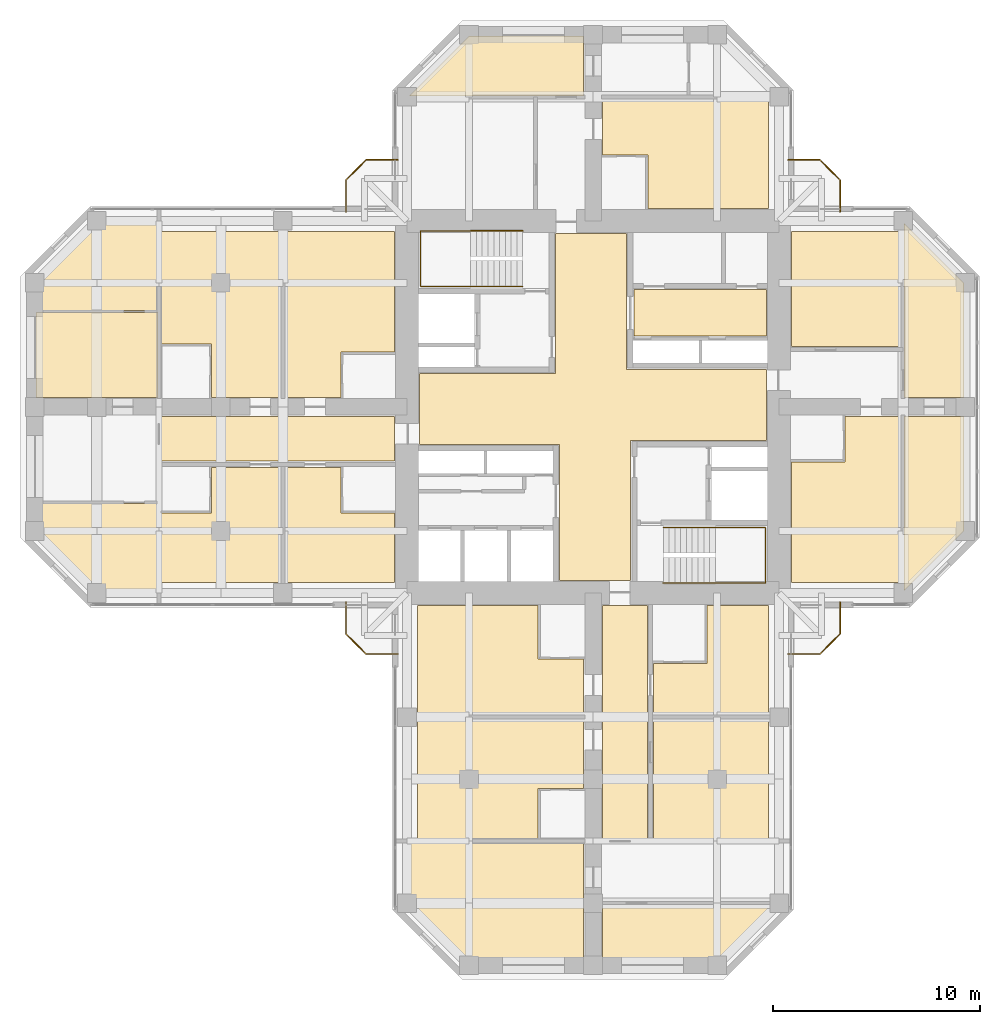
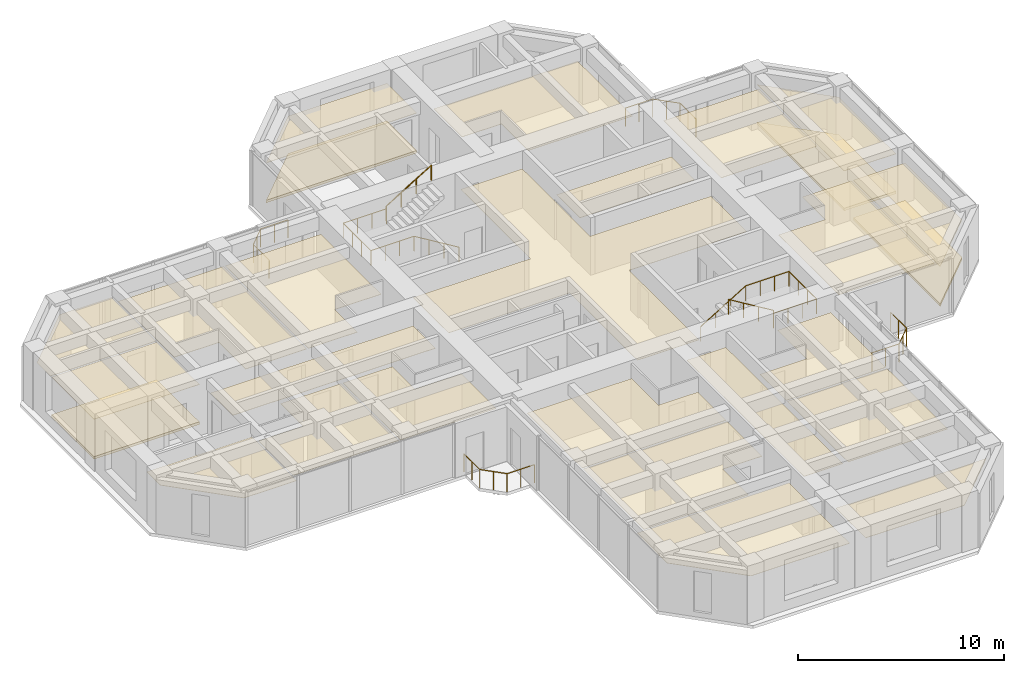
# One storey, part 13 of 13: 27 coverings, 8 railings.
"""IFC4 building model written with IfcOpenShell, lengths in metres."""

from ifc_helpers import new_model, si_unit, direction, frame, origin, origin_2d, place, context, subcontext, project, spatial, polyline, circle, outline, extrude, material, layer, layer_set, constituent, constituent_set, type_object, element, save


model = new_model("IFC4")

# Units and contexts
model_context = context("Model", 3, precision=1e-05, world=origin(), true_north=direction((0.0, 1.0)))
body_context = subcontext(model_context, "Body", "Model", "MODEL_VIEW")
ifc_project = project(units=[si_unit("LENGTHUNIT", "METRE"), si_unit("AREAUNIT", "SQUARE_METRE"), si_unit("VOLUMEUNIT", "CUBIC_METRE"), si_unit("PLANEANGLEUNIT", "RADIAN"), si_unit("MASSUNIT", "GRAM", prefix="KILO")], contexts=[model_context])

# Site, building, storey
site_placement = place(None, origin())
site = spatial("IfcSite", under=ifc_project, at=site_placement, CompositionType="ELEMENT")
building_placement = place(site_placement, origin())
building = spatial("IfcBuilding", under=site, at=building_placement, Name="Torre Cruceta", CompositionType="ELEMENT")
storey_placement = place(building_placement, frame((0.0, 0.0, 193.300048828125)))
storey = spatial("IfcBuildingStorey", under=building, at=storey_placement, Name="L48", CompositionType="ELEMENT", Elevation=193.300048828125)

# Railings
ifc_material_1 = material(Name="Stainless steel 1.4401", Category="steel")
ifc_constituent_1 = constituent(ifc_material_1, Name="Frame")
ifc_material_2 = material(Name="Laminated safety glass", Category="glass")
ifc_constituent_2 = constituent(ifc_material_2, Name="Infill")
ifc_constituent_set_1 = constituent_set(constituents=[ifc_constituent_1, ifc_constituent_2], Name="Stainless steel and laminated glass balustrade")
railing_type_1 = type_object("IfcRailingType", Name="BALCONY BALUSTRADE 1100", PredefinedType="BALUSTRADE", material=ifc_constituent_set_1)
railing_1_placement = place(storey_placement, frame((-9.449951171875, 11.949951171875, 0.0)))
element("IfcRailing", 1, at=railing_1_placement, inside=storey, type_object=railing_type_1, Name="BL1 balcony balustrade L48 N", PredefinedType="BALUSTRADE", context=body_context, shape_type="SweptSolid", body=[
    extrude(circle(Radius=0.02392578125, at=origin_2d()), frame((0.0, 0.0, 1.076171875), z_axis=(-1.0, 0.0, 0.0), x_axis=(0.0, -1.0, 0.0)), (0.0, 0.0, 1.0), 1.529296875),
    extrude(circle(Radius=0.02392578125, at=origin_2d()), frame((-1.529296875, 0.0, 1.076171875), z_axis=(-0.707106781187, -0.707106781187, 0.0), x_axis=(0.707106781187, -0.707106781187, 0.0)), (0.0, 0.0, 1.0), 1.372802734375),
    extrude(circle(Radius=0.02392578125, at=origin_2d()), frame((-2.5, -0.970703125, 1.076171875), z_axis=(0.0, -1.0, 0.0), x_axis=(1.0, 0.0, 0.0)), (0.0, 0.0, 1.0), 1.529296875),
    extrude(circle(Radius=0.02099609375, at=origin_2d()), origin(), (0.0, 0.0, 1.0), 1.052001953125),
    extrude(circle(Radius=0.02099609375, at=origin_2d()), frame((-0.7646484375, 0.0, 0.0)), (0.0, 0.0, 1.0), 1.052001953125),
    extrude(circle(Radius=0.02099609375, at=origin_2d()), frame((-1.529296875, 0.0, 0.0)), (0.0, 0.0, 1.0), 1.052001953125),
    extrude(circle(Radius=0.02099609375, at=origin_2d()), frame((-2.0146484375, -0.4853515625, 0.0)), (0.0, 0.0, 1.0), 1.052001953125),
    extrude(circle(Radius=0.02099609375, at=origin_2d()), frame((-2.5, -0.970703125, 0.0)), (0.0, 0.0, 1.0), 1.052001953125),
    extrude(circle(Radius=0.02099609375, at=origin_2d()), frame((-2.5, -1.7353515625, 0.0)), (0.0, 0.0, 1.0), 1.052001953125),
    extrude(circle(Radius=0.02099609375, at=origin_2d()), frame((-2.5, -2.5, 0.0)), (0.0, 0.0, 1.0), 1.052001953125),
])
railing_2_placement = place(storey_placement, frame((9.449951171875, 11.949951171875, 0.0)))
element("IfcRailing", 2, at=railing_2_placement, inside=storey, type_object=railing_type_1, Name="BL1 balcony balustrade L48 E", PredefinedType="BALUSTRADE", context=body_context, shape_type="SweptSolid", body=[
    extrude(circle(Radius=0.02392578125, at=origin_2d()), frame((0.0, 0.0, 1.076171875), z_axis=(1.0, 0.0, 0.0), x_axis=(0.0, 1.0, 0.0)), (0.0, 0.0, 1.0), 1.529296875),
    extrude(circle(Radius=0.02392578125, at=origin_2d()), frame((1.529296875, 0.0, 1.076171875), z_axis=(0.707106781187, -0.707106781187, 0.0), x_axis=(0.707106781187, 0.707106781187, 0.0)), (0.0, 0.0, 1.0), 1.372802734375),
    extrude(circle(Radius=0.02392578125, at=origin_2d()), frame((2.5, -0.970703125, 1.076171875), z_axis=(0.0, -1.0, 0.0), x_axis=(1.0, 0.0, 0.0)), (0.0, 0.0, 1.0), 1.529296875),
    extrude(circle(Radius=0.02099609375, at=origin_2d()), origin(), (0.0, 0.0, 1.0), 1.052001953125),
    extrude(circle(Radius=0.02099609375, at=origin_2d()), frame((0.7646484375, 0.0, 0.0)), (0.0, 0.0, 1.0), 1.052001953125),
    extrude(circle(Radius=0.02099609375, at=origin_2d()), frame((1.529296875, 0.0, 0.0)), (0.0, 0.0, 1.0), 1.052001953125),
    extrude(circle(Radius=0.02099609375, at=origin_2d()), frame((2.0146484375, -0.4853515625, 0.0)), (0.0, 0.0, 1.0), 1.052001953125),
    extrude(circle(Radius=0.02099609375, at=origin_2d()), frame((2.5, -0.970703125, 0.0)), (0.0, 0.0, 1.0), 1.052001953125),
    extrude(circle(Radius=0.02099609375, at=origin_2d()), frame((2.5, -1.7353515625, 0.0)), (0.0, 0.0, 1.0), 1.052001953125),
    extrude(circle(Radius=0.02099609375, at=origin_2d()), frame((2.5, -2.5, 0.0)), (0.0, 0.0, 1.0), 1.052001953125),
])
railing_3_placement = place(storey_placement, frame((9.449951171875, -11.949951171875, 0.0)))
element("IfcRailing", 3, at=railing_3_placement, inside=storey, type_object=railing_type_1, Name="BL1 balcony balustrade L48 S", PredefinedType="BALUSTRADE", context=body_context, shape_type="SweptSolid", body=[
    extrude(circle(Radius=0.02392578125, at=origin_2d()), frame((0.0, 0.0, 1.076171875), z_axis=(1.0, 0.0, 0.0), x_axis=(0.0, 1.0, 0.0)), (0.0, 0.0, 1.0), 1.529296875),
    extrude(circle(Radius=0.02392578125, at=origin_2d()), frame((1.529296875, 0.0, 1.076171875), z_axis=(0.707106781187, 0.707106781187, 0.0), x_axis=(-0.707106781187, 0.707106781187, 0.0)), (0.0, 0.0, 1.0), 1.372802734375),
    extrude(circle(Radius=0.02392578125, at=origin_2d()), frame((2.5, 0.970703125, 1.076171875), z_axis=(0.0, 1.0, 0.0), x_axis=(-1.0, 0.0, 0.0)), (0.0, 0.0, 1.0), 1.529296875),
    extrude(circle(Radius=0.02099609375, at=origin_2d()), origin(), (0.0, 0.0, 1.0), 1.052001953125),
    extrude(circle(Radius=0.02099609375, at=origin_2d()), frame((0.7646484375, 0.0, 0.0)), (0.0, 0.0, 1.0), 1.052001953125),
    extrude(circle(Radius=0.02099609375, at=origin_2d()), frame((1.529296875, 0.0, 0.0)), (0.0, 0.0, 1.0), 1.052001953125),
    extrude(circle(Radius=0.02099609375, at=origin_2d()), frame((2.0146484375, 0.4853515625, 0.0)), (0.0, 0.0, 1.0), 1.052001953125),
    extrude(circle(Radius=0.02099609375, at=origin_2d()), frame((2.5, 0.970703125, 0.0)), (0.0, 0.0, 1.0), 1.052001953125),
    extrude(circle(Radius=0.02099609375, at=origin_2d()), frame((2.5, 1.7353515625, 0.0)), (0.0, 0.0, 1.0), 1.052001953125),
    extrude(circle(Radius=0.02099609375, at=origin_2d()), frame((2.5, 2.5, 0.0)), (0.0, 0.0, 1.0), 1.052001953125),
])
railing_4_placement = place(storey_placement, frame((-9.449951171875, -11.949951171875, 0.0)))
element("IfcRailing", 4, at=railing_4_placement, inside=storey, type_object=railing_type_1, Name="BL1 balcony balustrade L48 W", PredefinedType="BALUSTRADE", context=body_context, shape_type="SweptSolid", body=[
    extrude(circle(Radius=0.02392578125, at=origin_2d()), frame((0.0, 0.0, 1.076171875), z_axis=(-1.0, 0.0, 0.0), x_axis=(0.0, -1.0, 0.0)), (0.0, 0.0, 1.0), 1.529296875),
    extrude(circle(Radius=0.02392578125, at=origin_2d()), frame((-1.529296875, 0.0, 1.076171875), z_axis=(-0.707106781187, 0.707106781187, 0.0), x_axis=(-0.707106781187, -0.707106781187, 0.0)), (0.0, 0.0, 1.0), 1.372802734375),
    extrude(circle(Radius=0.02392578125, at=origin_2d()), frame((-2.5, 0.970703125, 1.076171875), z_axis=(0.0, 1.0, 0.0), x_axis=(-1.0, 0.0, 0.0)), (0.0, 0.0, 1.0), 1.529296875),
    extrude(circle(Radius=0.02099609375, at=origin_2d()), origin(), (0.0, 0.0, 1.0), 1.052001953125),
    extrude(circle(Radius=0.02099609375, at=origin_2d()), frame((-0.7646484375, 0.0, 0.0)), (0.0, 0.0, 1.0), 1.052001953125),
    extrude(circle(Radius=0.02099609375, at=origin_2d()), frame((-1.529296875, 0.0, 0.0)), (0.0, 0.0, 1.0), 1.052001953125),
    extrude(circle(Radius=0.02099609375, at=origin_2d()), frame((-2.0146484375, 0.4853515625, 0.0)), (0.0, 0.0, 1.0), 1.052001953125),
    extrude(circle(Radius=0.02099609375, at=origin_2d()), frame((-2.5, 0.970703125, 0.0)), (0.0, 0.0, 1.0), 1.052001953125),
    extrude(circle(Radius=0.02099609375, at=origin_2d()), frame((-2.5, 1.7353515625, 0.0)), (0.0, 0.0, 1.0), 1.052001953125),
    extrude(circle(Radius=0.02099609375, at=origin_2d()), frame((-2.5, 2.5, 0.0)), (0.0, 0.0, 1.0), 1.052001953125),
])
ifc_material_3 = material(Name="Stainless steel 1.4401", Category="steel")
railing_type_2 = type_object("IfcRailingType", Name="HANDRAIL 900", PredefinedType="HANDRAIL", material=ifc_material_3)
railing_5_placement = place(storey_placement, frame((-3.39990234375, 5.8349609375, 0.169921875)))
element("IfcRailing", 5, at=railing_5_placement, inside=storey, type_object=railing_type_2, Name="Handrail HR1 ST1 L48", PredefinedType="HANDRAIL", context=body_context, shape_type="SweptSolid", body=[
    extrude(circle(Radius=0.02392578125, at=origin_2d()), frame((0.0, 0.0, 0.8759765625), z_axis=(-0.85478489116, 0.0, 0.518982456201), x_axis=(0.0, -1.0, 0.0)), (0.0, 0.0, 1.0), 2.9482421875),
    extrude(circle(Radius=0.02392578125, at=origin_2d()), frame((-2.52001953125, 0.0, 2.40576171875), z_axis=(-1.0, 0.0, 0.0), x_axis=(0.0, -1.0, 0.0)), (0.0, 0.0, 1.0), 2.420166015625),
    extrude(circle(Radius=0.02392578125, at=origin_2d()), frame((-4.940185546875, 0.0, 2.40576171875), z_axis=(0.0, 1.0, 0.0), x_axis=(-1.0, 0.0, 0.0)), (0.0, 0.0, 1.0), 2.679931640625),
    extrude(circle(Radius=0.02392578125, at=origin_2d()), frame((-4.940185546875, 2.679931640625, 2.40576171875), z_axis=(1.0, 0.0, 0.0), x_axis=(0.0, 1.0, 0.0)), (0.0, 0.0, 1.0), 2.420166015625),
    extrude(circle(Radius=0.02099609375, at=origin_2d()), origin(), (0.0, 0.0, 1.0), 0.851806640625),
    extrude(circle(Radius=0.02099609375, at=origin_2d()), frame((-0.840087890625, 0.0, 0.510009765625)), (0.0, 0.0, 1.0), 0.851806640625),
    extrude(circle(Radius=0.02099609375, at=origin_2d()), frame((-1.679931640625, 0.0, 1.02001953125)), (0.0, 0.0, 1.0), 0.851806640625),
    extrude(circle(Radius=0.02099609375, at=origin_2d()), frame((-2.52001953125, 0.0, 1.530029296875)), (0.0, 0.0, 1.0), 0.851806640625),
    extrude(circle(Radius=0.02099609375, at=origin_2d()), frame((-3.32666015625, 0.0, 1.530029296875)), (0.0, 0.0, 1.0), 0.851806640625),
    extrude(circle(Radius=0.02099609375, at=origin_2d()), frame((-4.133544921875, 0.0, 1.530029296875)), (0.0, 0.0, 1.0), 0.851806640625),
    extrude(circle(Radius=0.02099609375, at=origin_2d()), frame((-4.940185546875, 0.0, 1.530029296875)), (0.0, 0.0, 1.0), 0.851806640625),
    extrude(circle(Radius=0.02099609375, at=origin_2d()), frame((-4.940185546875, 0.893310546875, 1.530029296875)), (0.0, 0.0, 1.0), 0.851806640625),
    extrude(circle(Radius=0.02099609375, at=origin_2d()), frame((-4.940185546875, 1.78662109375, 1.530029296875)), (0.0, 0.0, 1.0), 0.851806640625),
    extrude(circle(Radius=0.02099609375, at=origin_2d()), frame((-4.940185546875, 2.679931640625, 1.530029296875)), (0.0, 0.0, 1.0), 0.851806640625),
    extrude(circle(Radius=0.02099609375, at=origin_2d()), frame((-4.133544921875, 2.679931640625, 1.530029296875)), (0.0, 0.0, 1.0), 0.851806640625),
    extrude(circle(Radius=0.02099609375, at=origin_2d()), frame((-3.32666015625, 2.679931640625, 1.530029296875)), (0.0, 0.0, 1.0), 0.851806640625),
    extrude(circle(Radius=0.02099609375, at=origin_2d()), frame((-2.52001953125, 2.679931640625, 1.530029296875)), (0.0, 0.0, 1.0), 0.851806640625),
])
railing_6_placement = place(storey_placement, frame((-5.919921875, 8.514892578125, 1.869873046875)))
element("IfcRailing", 6, at=railing_6_placement, inside=storey, type_object=railing_type_2, Name="Handrail HR1 ST1 L48", PredefinedType="HANDRAIL", context=body_context, shape_type="SweptSolid", body=[
    extrude(circle(Radius=0.02392578125, at=origin_2d()), frame((0.0, 0.0, 0.8759765625), z_axis=(0.85478489116, 0.0, 0.518982456201), x_axis=(0.0, 1.0, 0.0)), (0.0, 0.0, 1.0), 2.9482421875),
    extrude(circle(Radius=0.02099609375, at=origin_2d()), origin(), (0.0, 0.0, 1.0), 0.851806640625),
    extrude(circle(Radius=0.02099609375, at=origin_2d()), frame((0.840087890625, 0.0, 0.510009765625)), (0.0, 0.0, 1.0), 0.851806640625),
    extrude(circle(Radius=0.02099609375, at=origin_2d()), frame((1.679931640625, 0.0, 1.02001953125)), (0.0, 0.0, 1.0), 0.851806640625),
    extrude(circle(Radius=0.02099609375, at=origin_2d()), frame((2.52001953125, 0.0, 1.530029296875)), (0.0, 0.0, 1.0), 0.851806640625),
])
railing_7_placement = place(storey_placement, frame((3.39990234375, -5.8349609375, 0.169921875)))
element("IfcRailing", 7, at=railing_7_placement, inside=storey, type_object=railing_type_2, Name="Handrail HR1 ST2 L48", PredefinedType="HANDRAIL", context=body_context, shape_type="SweptSolid", body=[
    extrude(circle(Radius=0.02392578125, at=origin_2d()), frame((0.0, 0.0, 0.8759765625), z_axis=(0.85478489116, 0.0, 0.518982456201), x_axis=(0.0, 1.0, 0.0)), (0.0, 0.0, 1.0), 2.9482421875),
    extrude(circle(Radius=0.02392578125, at=origin_2d()), frame((2.52001953125, 0.0, 2.40576171875), z_axis=(1.0, 0.0, 0.0), x_axis=(0.0, 1.0, 0.0)), (0.0, 0.0, 1.0), 2.420166015625),
    extrude(circle(Radius=0.02392578125, at=origin_2d()), frame((4.940185546875, 0.0, 2.40576171875), z_axis=(0.0, -1.0, 0.0), x_axis=(1.0, 0.0, 0.0)), (0.0, 0.0, 1.0), 2.679931640625),
    extrude(circle(Radius=0.02392578125, at=origin_2d()), frame((4.940185546875, -2.679931640625, 2.40576171875), z_axis=(-1.0, 0.0, 0.0), x_axis=(0.0, -1.0, 0.0)), (0.0, 0.0, 1.0), 2.420166015625),
    extrude(circle(Radius=0.02099609375, at=origin_2d()), origin(), (0.0, 0.0, 1.0), 0.851806640625),
    extrude(circle(Radius=0.02099609375, at=origin_2d()), frame((0.840087890625, 0.0, 0.510009765625)), (0.0, 0.0, 1.0), 0.851806640625),
    extrude(circle(Radius=0.02099609375, at=origin_2d()), frame((1.679931640625, 0.0, 1.02001953125)), (0.0, 0.0, 1.0), 0.851806640625),
    extrude(circle(Radius=0.02099609375, at=origin_2d()), frame((2.52001953125, 0.0, 1.530029296875)), (0.0, 0.0, 1.0), 0.851806640625),
    extrude(circle(Radius=0.02099609375, at=origin_2d()), frame((3.32666015625, 0.0, 1.530029296875)), (0.0, 0.0, 1.0), 0.851806640625),
    extrude(circle(Radius=0.02099609375, at=origin_2d()), frame((4.133544921875, 0.0, 1.530029296875)), (0.0, 0.0, 1.0), 0.851806640625),
    extrude(circle(Radius=0.02099609375, at=origin_2d()), frame((4.940185546875, 0.0, 1.530029296875)), (0.0, 0.0, 1.0), 0.851806640625),
    extrude(circle(Radius=0.02099609375, at=origin_2d()), frame((4.940185546875, -0.893310546875, 1.530029296875)), (0.0, 0.0, 1.0), 0.851806640625),
    extrude(circle(Radius=0.02099609375, at=origin_2d()), frame((4.940185546875, -1.78662109375, 1.530029296875)), (0.0, 0.0, 1.0), 0.851806640625),
    extrude(circle(Radius=0.02099609375, at=origin_2d()), frame((4.940185546875, -2.679931640625, 1.530029296875)), (0.0, 0.0, 1.0), 0.851806640625),
    extrude(circle(Radius=0.02099609375, at=origin_2d()), frame((4.133544921875, -2.679931640625, 1.530029296875)), (0.0, 0.0, 1.0), 0.851806640625),
    extrude(circle(Radius=0.02099609375, at=origin_2d()), frame((3.32666015625, -2.679931640625, 1.530029296875)), (0.0, 0.0, 1.0), 0.851806640625),
    extrude(circle(Radius=0.02099609375, at=origin_2d()), frame((2.52001953125, -2.679931640625, 1.530029296875)), (0.0, 0.0, 1.0), 0.851806640625),
])
railing_8_placement = place(storey_placement, frame((5.919921875, -8.514892578125, 1.869873046875)))
element("IfcRailing", 8, at=railing_8_placement, inside=storey, type_object=railing_type_2, Name="Handrail HR1 ST2 L48", PredefinedType="HANDRAIL", context=body_context, shape_type="SweptSolid", body=[
    extrude(circle(Radius=0.02392578125, at=origin_2d()), frame((0.0, 0.0, 0.8759765625), z_axis=(-0.85478489116, 0.0, 0.518982456201), x_axis=(0.0, -1.0, 0.0)), (0.0, 0.0, 1.0), 2.9482421875),
    extrude(circle(Radius=0.02099609375, at=origin_2d()), origin(), (0.0, 0.0, 1.0), 0.851806640625),
    extrude(circle(Radius=0.02099609375, at=origin_2d()), frame((-0.840087890625, 0.0, 0.510009765625)), (0.0, 0.0, 1.0), 0.851806640625),
    extrude(circle(Radius=0.02099609375, at=origin_2d()), frame((-1.679931640625, 0.0, 1.02001953125)), (0.0, 0.0, 1.0), 0.851806640625),
    extrude(circle(Radius=0.02099609375, at=origin_2d()), frame((-2.52001953125, 0.0, 1.530029296875)), (0.0, 0.0, 1.0), 0.851806640625),
])

# Coverings
ifc_material_4 = material(Name="Steel DX51D", Category="steel")
ifc_constituent_3 = constituent(ifc_material_4, Name="Panel casing")
ifc_material_5 = material(Name="Calcium sulphate", Category="gypsum")
ifc_constituent_4 = constituent(ifc_material_5, Name="Panel core")
ifc_constituent_set_2 = constituent_set(constituents=[ifc_constituent_3, ifc_constituent_4], Name="Raised access floor panel")
covering_type_1 = type_object("IfcCoveringType", Name="RAISED ACCESS FLOOR 150", PredefinedType="FLOORING", material=ifc_constituent_set_2)
covering_1_placement = place(storey_placement, origin())
element("IfcCovering", 9, at=covering_1_placement, inside=storey, type_object=covering_type_1, Name="Raised floor L48-026", PredefinedType="FLOORING", context=body_context, shape_type="SweptSolid", body=[
    extrude(outline(polyline([(-5.979248046875, 17.949951171875), (-0.449951171875, 17.949951171875), (-0.449951171875, 15.050048828125), (-8.87939453125, 15.050048828125), (-5.979248046875, 17.949951171875)])), origin(), (0.0, 0.0, 1.0), 0.14990234375),
])
covering_2_placement = place(storey_placement, origin())
element("IfcCovering", 10, at=covering_2_placement, inside=storey, type_object=covering_type_1, Name="Raised floor L48-033", PredefinedType="FLOORING", context=body_context, shape_type="SweptSolid", body=[
    extrude(outline(polyline([(17.949951171875, 5.979248046875), (17.949951171875, 0.449951171875), (15.050048828125, 0.449951171875), (15.050048828125, 8.87939453125), (17.949951171875, 5.979248046875)])), origin(), (0.0, 0.0, 1.0), 0.14990234375),
])
covering_3_placement = place(storey_placement, origin())
element("IfcCovering", 11, at=covering_3_placement, inside=storey, type_object=covering_type_1, Name="Raised floor L48-034", PredefinedType="FLOORING", context=body_context, shape_type="SweptSolid", body=[
    extrude(outline(polyline([(15.050048828125, -8.87939453125), (15.050048828125, -0.449951171875), (17.949951171875, -0.449951171875), (17.949951171875, -5.979248046875), (15.050048828125, -8.87939453125)])), origin(), (0.0, 0.0, 1.0), 0.14990234375),
])
covering_4_placement = place(storey_placement, origin())
element("IfcCovering", 12, at=covering_4_placement, inside=storey, type_object=covering_type_1, Name="Raised floor L48-057", PredefinedType="FLOORING", context=body_context, shape_type="SweptSolid", body=[
    extrude(outline(polyline([(-26.949951171875, 4.574951171875), (-21.050048828125, 4.574951171875), (-21.050048828125, 0.449951171875), (-26.949951171875, 0.449951171875), (-26.949951171875, 4.574951171875)])), origin(), (0.0, 0.0, 1.0), 0.14990234375),
])
ifc_material_6 = material(Name="Mineral fibre ceiling tile", Category="gypsum")
ifc_layer = layer(ifc_material_6, 0.02001953125)
ifc_layer_set = layer_set([ifc_layer], Name="Mineral fibre ceiling tile")
covering_type_2 = type_object("IfcCoveringType", Name="SUSPENDED CEILING 20", PredefinedType="CEILING", material=ifc_layer_set)
covering_5_placement = place(storey_placement, frame((0.0, 0.0, 2.349853515625)))
element("IfcCovering", 13, at=covering_5_placement, inside=storey, type_object=covering_type_2, Name="Ceiling L48-003", PredefinedType="CEILING", context=body_context, shape_type="SweptSolid", body=[
    extrude(outline(polyline([(-1.625, -8.39990234375), (-1.625, -1.824951171875), (-8.39990234375, -1.824951171875), (-8.39990234375, 1.625), (-1.824951171875, 1.625), (-1.824951171875, 8.39990234375), (1.625, 8.39990234375), (1.625, 1.824951171875), (8.39990234375, 1.824951171875), (8.39990234375, -1.625), (1.824951171875, -1.625), (1.824951171875, -8.39990234375), (-1.625, -8.39990234375)])), origin(), (0.0, 0.0, 1.0), 0.02001953125),
])
covering_6_placement = place(storey_placement, frame((0.0, 0.0, 2.349853515625)))
element("IfcCovering", 14, at=covering_6_placement, inside=storey, type_object=covering_type_2, Name="Ceiling L48-004", PredefinedType="CEILING", context=body_context, shape_type="SweptSolid", body=[
    extrude(outline(polyline([(1.97509765625, 3.425048828125), (1.97509765625, 5.675048828125), (8.39990234375, 5.675048828125), (8.39990234375, 3.425048828125), (1.97509765625, 3.425048828125)])), origin(), (0.0, 0.0, 1.0), 0.02001953125),
])
covering_7_placement = place(storey_placement, frame((0.0, 0.0, 2.349853515625)))
element("IfcCovering", 15, at=covering_7_placement, inside=storey, type_object=covering_type_2, Name="Ceiling L48-024", PredefinedType="CEILING", context=body_context, shape_type="SweptSolid", body=[
    extrude(outline(polyline([(0.449951171875, 14.949951171875), (8.5, 14.949951171875), (8.5, 9.60009765625), (2.64990234375, 9.60009765625), (2.64990234375, 12.199951171875), (0.449951171875, 12.199951171875), (0.449951171875, 14.949951171875)])), origin(), (0.0, 0.0, 1.0), 0.02001953125),
])
covering_8_placement = place(storey_placement, frame((0.0, 0.0, 2.349853515625)))
element("IfcCovering", 16, at=covering_8_placement, inside=storey, type_object=covering_type_2, Name="Ceiling L48-026", PredefinedType="CEILING", context=body_context, shape_type="SweptSolid", body=[
    extrude(outline(polyline([(-5.979248046875, 17.949951171875), (-0.449951171875, 17.949951171875), (-0.449951171875, 15.050048828125), (-8.87939453125, 15.050048828125), (-5.979248046875, 17.949951171875)])), origin(), (0.0, 0.0, 1.0), 0.02001953125),
])
covering_9_placement = place(storey_placement, frame((0.0, 0.0, 2.349853515625)))
element("IfcCovering", 17, at=covering_9_placement, inside=storey, type_object=covering_type_2, Name="Ceiling L48-030", PredefinedType="CEILING", context=body_context, shape_type="SweptSolid", body=[
    extrude(outline(polyline([(9.60009765625, 2.925048828125), (9.60009765625, 8.5), (14.949951171875, 8.5), (14.949951171875, 2.925048828125), (9.60009765625, 2.925048828125)])), origin(), (0.0, 0.0, 1.0), 0.02001953125),
])
covering_10_placement = place(storey_placement, frame((0.0, 0.0, 2.349853515625)))
element("IfcCovering", 18, at=covering_10_placement, inside=storey, type_object=covering_type_2, Name="Ceiling L48-031", PredefinedType="CEILING", context=body_context, shape_type="SweptSolid", body=[
    extrude(outline(polyline([(14.949951171875, -0.449951171875), (14.949951171875, -8.5), (9.60009765625, -8.5), (9.60009765625, -2.64990234375), (12.199951171875, -2.64990234375), (12.199951171875, -0.449951171875), (14.949951171875, -0.449951171875)])), origin(), (0.0, 0.0, 1.0), 0.02001953125),
])
covering_11_placement = place(storey_placement, frame((0.0, 0.0, 2.349853515625)))
element("IfcCovering", 19, at=covering_11_placement, inside=storey, type_object=covering_type_2, Name="Ceiling L48-033", PredefinedType="CEILING", context=body_context, shape_type="SweptSolid", body=[
    extrude(outline(polyline([(17.949951171875, 5.979248046875), (17.949951171875, 0.449951171875), (15.050048828125, 0.449951171875), (15.050048828125, 8.87939453125), (17.949951171875, 5.979248046875)])), origin(), (0.0, 0.0, 1.0), 0.02001953125),
])
covering_12_placement = place(storey_placement, frame((0.0, 0.0, 2.349853515625)))
element("IfcCovering", 20, at=covering_12_placement, inside=storey, type_object=covering_type_2, Name="Ceiling L48-034", PredefinedType="CEILING", context=body_context, shape_type="SweptSolid", body=[
    extrude(outline(polyline([(15.050048828125, -8.87939453125), (15.050048828125, -0.449951171875), (17.949951171875, -0.449951171875), (17.949951171875, -5.979248046875), (15.050048828125, -8.87939453125)])), origin(), (0.0, 0.0, 1.0), 0.02001953125),
])
covering_13_placement = place(storey_placement, frame((0.0, 0.0, 2.349853515625)))
element("IfcCovering", 21, at=covering_13_placement, inside=storey, type_object=covering_type_2, Name="Ceiling L48-035", PredefinedType="CEILING", context=body_context, shape_type="SweptSolid", body=[
    extrude(outline(polyline([(0.449951171875, -9.60009765625), (2.625, -9.60009765625), (2.625, -20.949951171875), (0.449951171875, -20.949951171875), (0.449951171875, -9.60009765625)])), origin(), (0.0, 0.0, 1.0), 0.02001953125),
])
covering_14_placement = place(storey_placement, frame((0.0, 0.0, 2.349853515625)))
element("IfcCovering", 22, at=covering_14_placement, inside=storey, type_object=covering_type_2, Name="Ceiling L48-036", PredefinedType="CEILING", context=body_context, shape_type="SweptSolid", body=[
    extrude(outline(polyline([(8.5, -9.60009765625), (8.5, -14.949951171875), (2.925048828125, -14.949951171875), (2.925048828125, -12.39990234375), (5.52490234375, -12.39990234375), (5.52490234375, -9.60009765625), (8.5, -9.60009765625)])), origin(), (0.0, 0.0, 1.0), 0.02001953125),
])
covering_15_placement = place(storey_placement, frame((0.0, 0.0, 2.349853515625)))
element("IfcCovering", 23, at=covering_15_placement, inside=storey, type_object=covering_type_2, Name="Ceiling L48-038", PredefinedType="CEILING", context=body_context, shape_type="SweptSolid", body=[
    extrude(outline(polyline([(-0.449951171875, -14.949951171875), (-8.5, -14.949951171875), (-8.5, -9.60009765625), (-2.64990234375, -9.60009765625), (-2.64990234375, -12.199951171875), (-0.449951171875, -12.199951171875), (-0.449951171875, -14.949951171875)])), origin(), (0.0, 0.0, 1.0), 0.02001953125),
])
covering_16_placement = place(storey_placement, frame((0.0, 0.0, 2.349853515625)))
element("IfcCovering", 24, at=covering_16_placement, inside=storey, type_object=covering_type_2, Name="Ceiling L48-040", PredefinedType="CEILING", context=body_context, shape_type="SweptSolid", body=[
    extrude(outline(polyline([(2.925048828125, -15.050048828125), (8.5, -15.050048828125), (8.5, -20.949951171875), (2.925048828125, -20.949951171875), (2.925048828125, -15.050048828125)])), origin(), (0.0, 0.0, 1.0), 0.02001953125),
])
covering_17_placement = place(storey_placement, frame((0.0, 0.0, 2.349853515625)))
element("IfcCovering", 25, at=covering_17_placement, inside=storey, type_object=covering_type_2, Name="Ceiling L48-041", PredefinedType="CEILING", context=body_context, shape_type="SweptSolid", body=[
    extrude(outline(polyline([(-8.5, -20.949951171875), (-8.5, -15.050048828125), (-0.449951171875, -15.050048828125), (-0.449951171875, -18.449951171875), (-2.64990234375, -18.449951171875), (-2.64990234375, -20.949951171875), (-8.5, -20.949951171875)])), origin(), (0.0, 0.0, 1.0), 0.02001953125),
])
covering_18_placement = place(storey_placement, frame((0.0, 0.0, 2.349853515625)))
element("IfcCovering", 26, at=covering_18_placement, inside=storey, type_object=covering_type_2, Name="Ceiling L48-044", PredefinedType="CEILING", context=body_context, shape_type="SweptSolid", body=[
    extrude(outline(polyline([(0.449951171875, -26.949951171875), (0.449951171875, -24.050048828125), (8.87939453125, -24.050048828125), (5.979248046875, -26.949951171875), (0.449951171875, -26.949951171875)])), origin(), (0.0, 0.0, 1.0), 0.02001953125),
])
covering_19_placement = place(storey_placement, frame((0.0, 0.0, 2.349853515625)))
element("IfcCovering", 27, at=covering_19_placement, inside=storey, type_object=covering_type_2, Name="Ceiling L48-045", PredefinedType="CEILING", context=body_context, shape_type="SweptSolid", body=[
    extrude(outline(polyline([(-8.949951171875, -23.979248046875), (-8.949951171875, -21.050048828125), (-0.449951171875, -21.050048828125), (-0.449951171875, -26.949951171875), (-5.979248046875, -26.949951171875), (-8.949951171875, -23.979248046875)])), origin(), (0.0, 0.0, 1.0), 0.02001953125),
])
covering_20_placement = place(storey_placement, frame((0.0, 0.0, 2.349853515625)))
element("IfcCovering", 28, at=covering_20_placement, inside=storey, type_object=covering_type_2, Name="Ceiling L48-046", PredefinedType="CEILING", context=body_context, shape_type="SweptSolid", body=[
    extrude(outline(polyline([(-9.60009765625, -0.449951171875), (-9.60009765625, -2.625), (-20.949951171875, -2.625), (-20.949951171875, -0.449951171875), (-9.60009765625, -0.449951171875)])), origin(), (0.0, 0.0, 1.0), 0.02001953125),
])
covering_21_placement = place(storey_placement, frame((0.0, 0.0, 2.349853515625)))
element("IfcCovering", 29, at=covering_21_placement, inside=storey, type_object=covering_type_2, Name="Ceiling L48-047", PredefinedType="CEILING", context=body_context, shape_type="SweptSolid", body=[
    extrude(outline(polyline([(-9.60009765625, -8.5), (-14.949951171875, -8.5), (-14.949951171875, -2.925048828125), (-12.199951171875, -2.925048828125), (-12.199951171875, -5.125), (-9.60009765625, -5.125), (-9.60009765625, -8.5)])), origin(), (0.0, 0.0, 1.0), 0.02001953125),
])
covering_22_placement = place(storey_placement, frame((0.0, 0.0, 2.349853515625)))
element("IfcCovering", 30, at=covering_22_placement, inside=storey, type_object=covering_type_2, Name="Ceiling L48-049", PredefinedType="CEILING", context=body_context, shape_type="SweptSolid", body=[
    extrude(outline(polyline([(-14.949951171875, 0.449951171875), (-14.949951171875, 8.5), (-9.60009765625, 8.5), (-9.60009765625, 2.64990234375), (-12.199951171875, 2.64990234375), (-12.199951171875, 0.449951171875), (-14.949951171875, 0.449951171875)])), origin(), (0.0, 0.0, 1.0), 0.02001953125),
])
covering_23_placement = place(storey_placement, frame((0.0, 0.0, 2.349853515625)))
element("IfcCovering", 31, at=covering_23_placement, inside=storey, type_object=covering_type_2, Name="Ceiling L48-051", PredefinedType="CEILING", context=body_context, shape_type="SweptSolid", body=[
    extrude(outline(polyline([(-15.050048828125, -2.925048828125), (-15.050048828125, -8.5), (-20.949951171875, -8.5), (-20.949951171875, -5.125), (-18.449951171875, -5.125), (-18.449951171875, -2.925048828125), (-15.050048828125, -2.925048828125)])), origin(), (0.0, 0.0, 1.0), 0.02001953125),
])
covering_24_placement = place(storey_placement, frame((0.0, 0.0, 2.349853515625)))
element("IfcCovering", 32, at=covering_24_placement, inside=storey, type_object=covering_type_2, Name="Ceiling L48-053", PredefinedType="CEILING", context=body_context, shape_type="SweptSolid", body=[
    extrude(outline(polyline([(-20.949951171875, 8.5), (-15.050048828125, 8.5), (-15.050048828125, 0.449951171875), (-18.449951171875, 0.449951171875), (-18.449951171875, 3.050048828125), (-20.949951171875, 3.050048828125), (-20.949951171875, 8.5)])), origin(), (0.0, 0.0, 1.0), 0.02001953125),
])
covering_25_placement = place(storey_placement, frame((0.0, 0.0, 2.349853515625)))
element("IfcCovering", 33, at=covering_25_placement, inside=storey, type_object=covering_type_2, Name="Ceiling L48-056", PredefinedType="CEILING", context=body_context, shape_type="SweptSolid", body=[
    extrude(outline(polyline([(-23.979248046875, -8.949951171875), (-26.949951171875, -5.979248046875), (-26.949951171875, -4.675048828125), (-21.050048828125, -4.675048828125), (-21.050048828125, -8.949951171875), (-23.979248046875, -8.949951171875)])), origin(), (0.0, 0.0, 1.0), 0.02001953125),
])
covering_26_placement = place(storey_placement, frame((0.0, 0.0, 2.349853515625)))
element("IfcCovering", 34, at=covering_26_placement, inside=storey, type_object=covering_type_2, Name="Ceiling L48-057", PredefinedType="CEILING", context=body_context, shape_type="SweptSolid", body=[
    extrude(outline(polyline([(-26.949951171875, 4.574951171875), (-21.050048828125, 4.574951171875), (-21.050048828125, 0.449951171875), (-26.949951171875, 0.449951171875), (-26.949951171875, 4.574951171875)])), origin(), (0.0, 0.0, 1.0), 0.02001953125),
])
covering_27_placement = place(storey_placement, frame((0.0, 0.0, 2.349853515625)))
element("IfcCovering", 35, at=covering_27_placement, inside=storey, type_object=covering_type_2, Name="Ceiling L48-058", PredefinedType="CEILING", context=body_context, shape_type="SweptSolid", body=[
    extrude(outline(polyline([(-23.979248046875, 8.949951171875), (-21.050048828125, 8.949951171875), (-21.050048828125, 4.675048828125), (-26.949951171875, 4.675048828125), (-26.949951171875, 5.979248046875), (-23.979248046875, 8.949951171875)])), origin(), (0.0, 0.0, 1.0), 0.02001953125),
])

save(model, "model.ifc")
